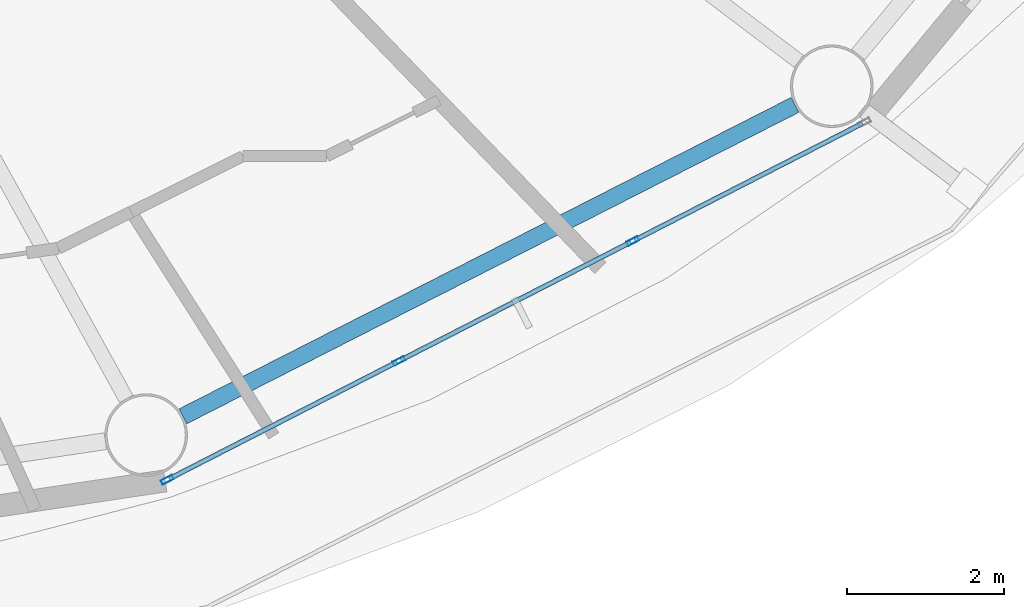
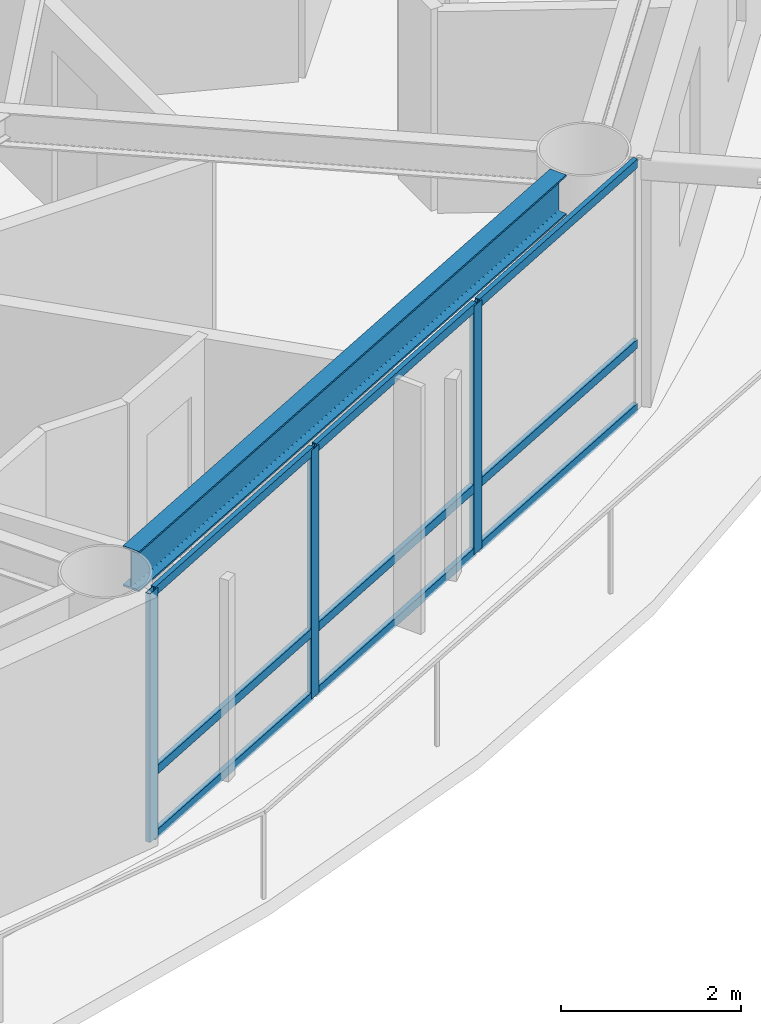
# One storey, part 5 of 28: 12 members, 1 beam, 1 element without a shape of its own.
"""IFC4 building model written with IfcOpenShell, lengths in metres."""

from ifc_helpers import new_model, si_unit, direction, frame, origin, origin_2d, place, context, subcontext, project, spatial, hollow_rectangle, i_section, extrude, material, layer, layer_set, material_profile, profile_set, type_object, element, aggregate, save


model = new_model("IFC4")

# Units and contexts
model_context = context("Model", 3, precision=1e-05, world=origin(), true_north=direction((0.0, 1.0)))
body_context = subcontext(model_context, "Body", "Model", "MODEL_VIEW")
ifc_project = project(units=[si_unit("LENGTHUNIT", "METRE"), si_unit("AREAUNIT", "SQUARE_METRE"), si_unit("VOLUMEUNIT", "CUBIC_METRE"), si_unit("PLANEANGLEUNIT", "RADIAN"), si_unit("MASSUNIT", "GRAM", prefix="KILO")], contexts=[model_context])

# Site, building, storey
site_placement = place(None, origin())
site = spatial("IfcSite", under=ifc_project, at=site_placement, CompositionType="ELEMENT")
building_placement = place(site_placement, origin())
building = spatial("IfcBuilding", under=site, at=building_placement, Name="Sarneth Arch Tower", CompositionType="ELEMENT")
storey_placement = place(building_placement, frame((0.0, 0.0, 154.199951171875)))
storey = spatial("IfcBuildingStorey", under=building, at=storey_placement, Name="L38", CompositionType="ELEMENT", Elevation=154.199951171875)

# Beam
ifc_material_1 = material(Name="Steel S355", Category="steel")
ifc_material_profile_1 = material_profile(ifc_material_1, i_section(OverallWidth=0.214111328125, OverallDepth=0.549072265625, WebThickness=0.0146484375, FlangeThickness=0.023681640625, FilletRadius=0.01806640625, at=origin_2d()), Name="W530x138")
ifc_profile_set_1 = profile_set([ifc_material_profile_1], Name="Steel S355")
beam_type = type_object("IfcBeamType", Name="BM-RAD-530A", PredefinedType="BEAM", material=ifc_profile_set_1)
beam_placement = place(storey_placement, frame((58.8896484375, 23.3447265625, 3.10546875), z_axis=(0.891254220899, 0.453504039374, 0.0), x_axis=(-0.453504039374, 0.891254220899, 0.0)))
element("IfcBeam", 1, at=beam_placement, inside=storey, type_object=beam_type, Name="L38 Perimeter spandrel beam 14", PredefinedType="BEAM", context=body_context, shape_type="SweptSolid", body=[
    extrude(i_section(OverallWidth=0.214111328125, OverallDepth=0.549072265625, WebThickness=0.0146484375, FlangeThickness=0.023681640625, FilletRadius=0.01806640625, at=origin_2d()), origin(), (0.0, 0.0, 1.0), 8.724853515625),
])

# Curtain wall, members
ifc_material_2 = material(Name="Anodised aluminium Type AA25 and solar-control low-e laminated IGU", Category="aluminium")
ifc_layer = layer(ifc_material_2, 0.169921875)
ifc_layer_set = layer_set([ifc_layer], Name="Anodised aluminium Type AA25 and solar-control low-e laminated IGU")
curtain_wall_type = type_object("IfcCurtainWallType", Name="CW-RES-MID", PredefinedType="NOTDEFINED", material=ifc_layer_set)
curtain_wall_placement = place(storey_placement, origin())
curtain_wall = element("IfcCurtainWall", 2, at=curtain_wall_placement, inside=storey, type_object=curtain_wall_type, Name="L38 Unitised curtain wall facet 14", PredefinedType="NOTDEFINED")
ifc_material_3 = material(Name="Anodised Aluminium 6063-T6", Category="aluminium")
ifc_material_profile_2 = material_profile(ifc_material_3, hollow_rectangle(XDim=0.06005859375, YDim=0.159912109375, WallThickness=0.00390625, at=origin_2d()), Name="AL-MULL-160x60x4")
ifc_profile_set_2 = profile_set([ifc_material_profile_2], Name="Anodised Aluminium 6063-T6")
member_type_1 = type_object("IfcMemberType", Name="CW-MULLION", PredefinedType="MULLION", material=ifc_profile_set_2)
member_1_placement = place(storey_placement, frame((58.689453125, 22.538330078125, 0.0), z_axis=(0.0, 0.0, 1.0), x_axis=(-0.456208470329, 0.88987293003, 0.0)))
member_1 = element("IfcMember", 3, at=member_1_placement, type_object=member_type_1, Name="CW-SYS-5 mullion 1", PredefinedType="MULLION", context=body_context, shape_type="SweptSolid", body=[
    extrude(hollow_rectangle(XDim=0.06005859375, YDim=0.159912109375, WallThickness=0.00390625, at=origin_2d()), origin(), (0.0, 0.0, 1.0), 3.380126953125),
])
member_2_placement = place(storey_placement, frame((61.634033203125, 24.0478515625, 0.0), z_axis=(0.0, 0.0, 1.0), x_axis=(-0.456208470329, 0.88987293003, 0.0)))
member_2 = element("IfcMember", 4, at=member_2_placement, type_object=member_type_1, Name="CW-SYS-5 mullion 2", PredefinedType="MULLION", context=body_context, shape_type="SweptSolid", body=[
    extrude(hollow_rectangle(XDim=0.06005859375, YDim=0.159912109375, WallThickness=0.00390625, at=origin_2d()), origin(), (0.0, 0.0, 1.0), 3.380126953125),
])
member_3_placement = place(storey_placement, frame((64.60498046875, 25.571044921875, 0.0), z_axis=(0.0, 0.0, 1.0), x_axis=(-0.456208470329, 0.88987293003, 0.0)))
member_3 = element("IfcMember", 5, at=member_3_placement, type_object=member_type_1, Name="CW-SYS-5 mullion 3", PredefinedType="MULLION", context=body_context, shape_type="SweptSolid", body=[
    extrude(hollow_rectangle(XDim=0.06005859375, YDim=0.159912109375, WallThickness=0.00390625, at=origin_2d()), origin(), (0.0, 0.0, 1.0), 3.380126953125),
])
ifc_material_4 = material(Name="Anodised Aluminium 6063-T6", Category="aluminium")
ifc_material_profile_3 = material_profile(ifc_material_4, hollow_rectangle(XDim=0.06005859375, YDim=0.1201171875, WallThickness=0.00390625, at=origin_2d()), Name="AL-TRAN-120x60x4")
ifc_profile_set_3 = profile_set([ifc_material_profile_3], Name="Anodised Aluminium 6063-T6")
member_type_2 = type_object("IfcMemberType", Name="CW-TRANSOM", PredefinedType="USERDEFINED", material=ifc_profile_set_3)
member_4_placement = place(storey_placement, frame((58.71630859375, 22.552001953125, 0.030029296875), z_axis=(0.889857362344, 0.456238835131, 0.0), x_axis=(-0.456238835131, 0.889857362344, 0.0)))
member_4 = element("IfcMember", 6, at=member_4_placement, type_object=member_type_2, Name="CW-SYS-5 transom 1.1", ObjectType="TRANSOM", PredefinedType="USERDEFINED", context=body_context, shape_type="SweptSolid", body=[
    extrude(hollow_rectangle(XDim=0.06005859375, YDim=0.1201171875, WallThickness=0.00390625, at=origin_2d()), origin(), (0.0, 0.0, 1.0), 3.248779296875),
])
member_5_placement = place(storey_placement, frame((58.71630859375, 22.552001953125, 0.900146484375), z_axis=(0.889857362344, 0.456238835131, 0.0), x_axis=(-0.456238835131, 0.889857362344, 0.0)))
member_5 = element("IfcMember", 7, at=member_5_placement, type_object=member_type_2, Name="CW-SYS-5 transom 1.2", ObjectType="TRANSOM", PredefinedType="USERDEFINED", context=body_context, shape_type="SweptSolid", body=[
    extrude(hollow_rectangle(XDim=0.06005859375, YDim=0.1201171875, WallThickness=0.00390625, at=origin_2d()), origin(), (0.0, 0.0, 1.0), 3.248779296875),
])
member_6_placement = place(storey_placement, frame((58.71630859375, 22.552001953125, 3.35009765625), z_axis=(0.889857362344, 0.456238835131, 0.0), x_axis=(-0.456238835131, 0.889857362344, 0.0)))
member_6 = element("IfcMember", 8, at=member_6_placement, type_object=member_type_2, Name="CW-SYS-5 transom 1.3", ObjectType="TRANSOM", PredefinedType="USERDEFINED", context=body_context, shape_type="SweptSolid", body=[
    extrude(hollow_rectangle(XDim=0.06005859375, YDim=0.1201171875, WallThickness=0.00390625, at=origin_2d()), origin(), (0.0, 0.0, 1.0), 3.248779296875),
])
member_7_placement = place(storey_placement, frame((61.66064453125, 24.0615234375, 0.030029296875), z_axis=(0.889869396751, 0.45621536222, 0.0), x_axis=(-0.45621536222, 0.889869396751, 0.0)))
member_7 = element("IfcMember", 9, at=member_7_placement, type_object=member_type_2, Name="CW-SYS-5 transom 2.1", ObjectType="TRANSOM", PredefinedType="USERDEFINED", context=body_context, shape_type="SweptSolid", body=[
    extrude(hollow_rectangle(XDim=0.06005859375, YDim=0.1201171875, WallThickness=0.00390625, at=origin_2d()), origin(), (0.0, 0.0, 1.0), 3.27880859375),
])
member_8_placement = place(storey_placement, frame((61.66064453125, 24.0615234375, 0.900146484375), z_axis=(0.889869396751, 0.45621536222, 0.0), x_axis=(-0.45621536222, 0.889869396751, 0.0)))
member_8 = element("IfcMember", 10, at=member_8_placement, type_object=member_type_2, Name="CW-SYS-5 transom 2.2", ObjectType="TRANSOM", PredefinedType="USERDEFINED", context=body_context, shape_type="SweptSolid", body=[
    extrude(hollow_rectangle(XDim=0.06005859375, YDim=0.1201171875, WallThickness=0.00390625, at=origin_2d()), origin(), (0.0, 0.0, 1.0), 3.27880859375),
])
member_9_placement = place(storey_placement, frame((61.66064453125, 24.0615234375, 3.35009765625), z_axis=(0.889869396751, 0.45621536222, 0.0), x_axis=(-0.45621536222, 0.889869396751, 0.0)))
member_9 = element("IfcMember", 11, at=member_9_placement, type_object=member_type_2, Name="CW-SYS-5 transom 2.3", ObjectType="TRANSOM", PredefinedType="USERDEFINED", context=body_context, shape_type="SweptSolid", body=[
    extrude(hollow_rectangle(XDim=0.06005859375, YDim=0.1201171875, WallThickness=0.00390625, at=origin_2d()), origin(), (0.0, 0.0, 1.0), 3.27880859375),
])
member_10_placement = place(storey_placement, frame((64.6318359375, 25.584716796875, 0.030029296875), z_axis=(0.889857362344, 0.456238835131, 0.0), x_axis=(-0.456238835131, 0.889857362344, 0.0)))
member_10 = element("IfcMember", 12, at=member_10_placement, type_object=member_type_2, Name="CW-SYS-5 transom 3.1", ObjectType="TRANSOM", PredefinedType="USERDEFINED", context=body_context, shape_type="SweptSolid", body=[
    extrude(hollow_rectangle(XDim=0.06005859375, YDim=0.1201171875, WallThickness=0.00390625, at=origin_2d()), origin(), (0.0, 0.0, 1.0), 3.248779296875),
])
member_11_placement = place(storey_placement, frame((64.6318359375, 25.584716796875, 0.900146484375), z_axis=(0.889857362344, 0.456238835131, 0.0), x_axis=(-0.456238835131, 0.889857362344, 0.0)))
member_11 = element("IfcMember", 13, at=member_11_placement, type_object=member_type_2, Name="CW-SYS-5 transom 3.2", ObjectType="TRANSOM", PredefinedType="USERDEFINED", context=body_context, shape_type="SweptSolid", body=[
    extrude(hollow_rectangle(XDim=0.06005859375, YDim=0.1201171875, WallThickness=0.00390625, at=origin_2d()), origin(), (0.0, 0.0, 1.0), 3.248779296875),
])
member_12_placement = place(storey_placement, frame((64.6318359375, 25.584716796875, 3.35009765625), z_axis=(0.889857362344, 0.456238835131, 0.0), x_axis=(-0.456238835131, 0.889857362344, 0.0)))
member_12 = element("IfcMember", 14, at=member_12_placement, type_object=member_type_2, Name="CW-SYS-5 transom 3.3", ObjectType="TRANSOM", PredefinedType="USERDEFINED", context=body_context, shape_type="SweptSolid", body=[
    extrude(hollow_rectangle(XDim=0.06005859375, YDim=0.1201171875, WallThickness=0.00390625, at=origin_2d()), origin(), (0.0, 0.0, 1.0), 3.248779296875),
])
aggregate(curtain_wall, [member_1, member_2, member_3, member_4, member_5, member_6, member_7, member_8, member_9, member_10, member_11, member_12])

save(model, "model.ifc")
